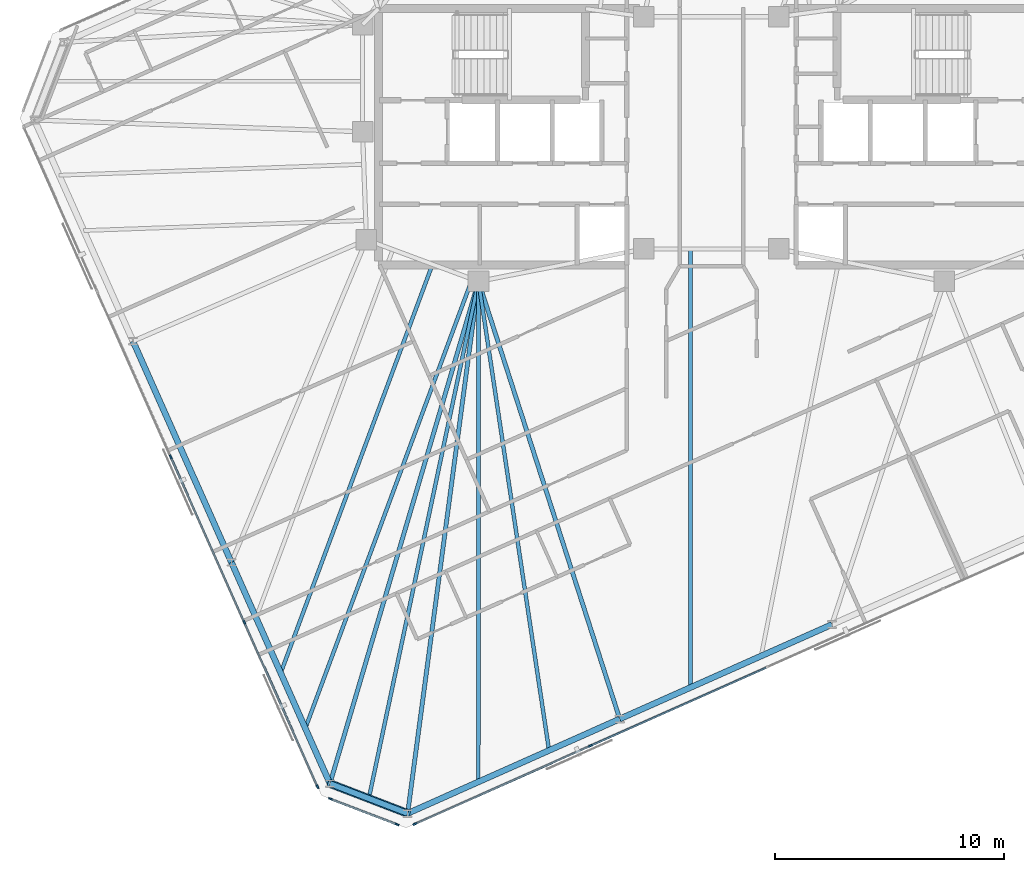
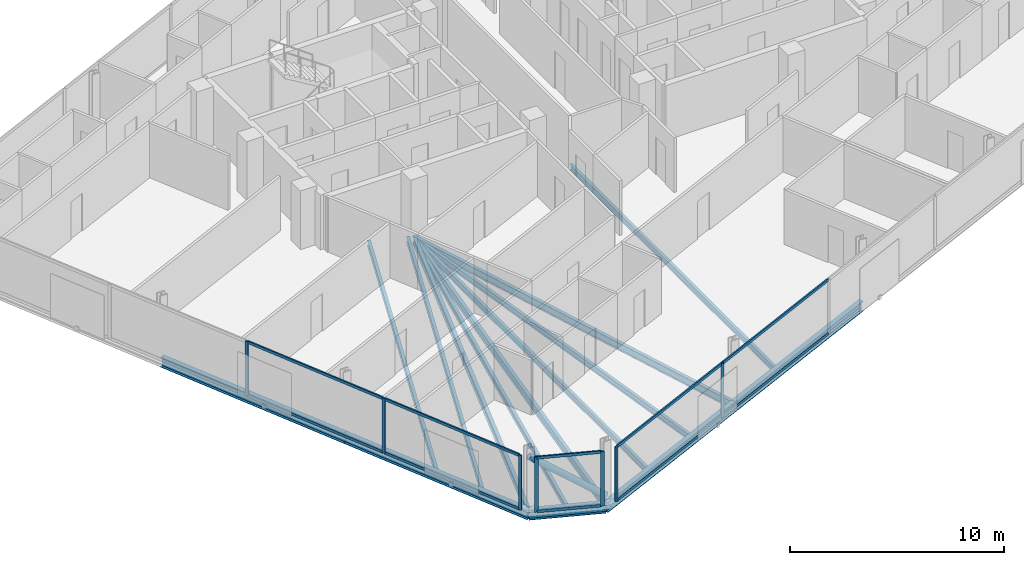
# One storey, part 5 of 19: 18 members, 14 beams, 3 elements without a shape of their own.
"""IFC4 building model written with IfcOpenShell, lengths in metres."""

import ifcopenshell
import ifcopenshell.guid

model = None  # the IFC model being written
_history = None  # IfcOwnerHistory: only IFC2X3 demands one
_inside = {}  # id of a spatial element -> (the spatial element, [elements in it])
_under = {}  # id of a project, library or spatial element -> (it, [spatial elements below it])
_declared = {}  # id of a project -> (the project, [libraries it declares])
_typed = {}  # id of a type object -> (the type object, [elements of that type])
_made_of = {}  # id of a material, layer set ... -> (it, [elements and type objects made of it])


def new_model(schema):
    """Start an empty IFC model of exactly this schema.

    Asked for "IFC4X3", IfcOpenShell would pick the latest addendum, in which some entities
    have other attributes; the version numbers below select the first issue.
    IFC2X3 requires an IfcOwnerHistory on every rooted entity: one is made here for all.
    """
    global model, _history
    if schema == "IFC4X3":
        model = ifcopenshell.file(schema_version=(4, 3, 0, 0))
    else:
        model = ifcopenshell.file(schema=schema)
    _inside.clear()
    _under.clear()
    _declared.clear()
    _typed.clear()
    _made_of.clear()
    _history = None
    if model.schema == "IFC2X3":
        org = make("IfcOrganization", Name="unknown")
        user = make(
            "IfcPersonAndOrganization",
            ThePerson=make("IfcPerson", FamilyName="unknown"),
            TheOrganization=org,
        )
        app = make(
            "IfcApplication",
            ApplicationDeveloper=org,
            Version="unknown",
            ApplicationFullName="unknown",
            ApplicationIdentifier="unknown",
        )
        _history = make(
            "IfcOwnerHistory",
            OwningUser=user,
            OwningApplication=app,
            ChangeAction="ADDED",
            CreationDate=0,
        )
    return model


def make(cls, **values):
    """One entity of the class cls with the attributes given. An attribute that is None is left unset."""
    return model.create_entity(
        cls, **{name: value for name, value in values.items() if value is not None}
    )


def rooted(cls, **values):
    """An entity with a GlobalId (a new one), such as an element, a storey or a relation."""
    return make(cls, GlobalId=ifcopenshell.guid.new(), OwnerHistory=_history, **values)


def si_unit(unit_type, name, prefix=None):
    """IfcSIUnit, for example si_unit("LENGTHUNIT", "METRE", prefix="MILLI")."""
    return make("IfcSIUnit", UnitType=unit_type, Prefix=prefix, Name=name)


def assignment(units):
    """IfcUnitAssignment: the units of a project."""
    return None if units is None else make("IfcUnitAssignment", Units=units)


def point(xyz):
    """IfcCartesianPoint."""
    return None if xyz is None else make("IfcCartesianPoint", Coordinates=xyz)


def direction(xyz):
    """IfcDirection."""
    return None if xyz is None else make("IfcDirection", DirectionRatios=xyz)


def frame(location, z_axis=None, x_axis=None):
    """IfcAxis2Placement3D, a coordinate frame: its origin and axes. An axis left out is left unset."""
    return make(
        "IfcAxis2Placement3D",
        Location=point(location),
        Axis=direction(z_axis),
        RefDirection=direction(x_axis),
    )


def frame_2d(location, x_axis=None):
    """IfcAxis2Placement2D, a coordinate frame in the plane: its origin and x axis."""
    return make(
        "IfcAxis2Placement2D", Location=point(location), RefDirection=direction(x_axis)
    )


def origin():
    """The frame at (0, 0, 0) with its axes left unset."""
    return frame((0.0, 0.0, 0.0))


def origin_2d():
    """The frame at (0, 0) in the plane with its x axis left unset."""
    return frame_2d((0.0, 0.0))


def place(relative_to, where):
    """IfcLocalPlacement: puts the frame where relative to a parent placement (None: the world)."""
    return make(
        "IfcLocalPlacement", PlacementRelTo=relative_to, RelativePlacement=where
    )


def context(
    kind, dimensions, precision=None, world=None, true_north=None, identifier=None
):
    """IfcGeometricRepresentationContext, for example the 3D "Model" context."""
    return make(
        "IfcGeometricRepresentationContext",
        ContextIdentifier=identifier,
        ContextType=kind,
        CoordinateSpaceDimension=dimensions,
        Precision=precision,
        WorldCoordinateSystem=world,
        TrueNorth=true_north,
    )


def subcontext(parent, identifier, kind, view, scale=None):
    """IfcGeometricRepresentationSubContext, for example "Body" below "Model"."""
    return make(
        "IfcGeometricRepresentationSubContext",
        ContextIdentifier=identifier,
        ContextType=kind,
        ParentContext=parent,
        TargetScale=scale,
        TargetView=view,
    )


def project(units=None, contexts=None):
    """IfcProject with its units and contexts."""
    return rooted(
        "IfcProject",
        Name="project",
        RepresentationContexts=contexts,
        UnitsInContext=assignment(units),
    )


def spatial(cls, under=None, at=None, **own):
    """A site, building, storey or space (cls), placed at a placement, below another one or the project."""
    s = rooted(cls, ObjectPlacement=at, **own)
    if under is not None:
        _under.setdefault(under.id(), (under, []))[1].append(s)
    return s


def profile(cls, at=None, kind="AREA", **sizes):
    """A parametric profile (cls). Its sizes go by their IFC names, for example OverallWidth=200.0."""
    return make(cls, ProfileType=kind, Position=at, **sizes)


def rectangle(**sizes):
    """IfcRectangleProfileDef."""
    return profile("IfcRectangleProfileDef", **sizes)


def hollow_circle(**sizes):
    """IfcCircleHollowProfileDef."""
    return profile("IfcCircleHollowProfileDef", **sizes)


def i_section(**sizes):
    """IfcIShapeProfileDef."""
    return profile("IfcIShapeProfileDef", **sizes)


def extrude(swept, where, along, depth):
    """IfcExtrudedAreaSolid: the profile swept, set in the frame where, extruded along a direction by depth."""
    return make(
        "IfcExtrudedAreaSolid",
        SweptArea=swept,
        Position=where,
        ExtrudedDirection=direction(along),
        Depth=depth,
    )


def shape(context_of_items, identifier, shape_type, items):
    """IfcShapeRepresentation: the items that make up one representation, for example the "Body"."""
    return make(
        "IfcShapeRepresentation",
        ContextOfItems=context_of_items,
        RepresentationIdentifier=identifier,
        RepresentationType=shape_type,
        Items=items,
    )


def material(Name=None, Category=None):
    """IfcMaterial."""
    return make("IfcMaterial", Name=Name, Category=Category)


def material_profile(
    of_material, cross_section, Name=None, Category=None, Priority=None
):
    """IfcMaterialProfile: a cross section and its material."""
    return make(
        "IfcMaterialProfile",
        Name=Name,
        Material=of_material,
        Profile=cross_section,
        Priority=Priority,
        Category=Category,
    )


def profile_set(profiles, Name=None, composite=None):
    """IfcMaterialProfileSet."""
    return make(
        "IfcMaterialProfileSet",
        Name=Name,
        MaterialProfiles=profiles,
        CompositeProfile=composite,
    )


def made_of(thing, what):
    """Note that an element or type object is made of a material, layer set ...; save() writes the relation."""
    if what is not None:
        _made_of.setdefault(what.id(), (what, []))[1].append(thing)
    return thing


def type_object(cls, material=None, **own):
    """A type object (cls), such as IfcWallType, which elements share."""
    return made_of(rooted(cls, **own), material)


def element(
    cls,
    number,
    at=None,
    inside=None,
    cuts=None,
    type_object=None,
    material=None,
    context=None,
    identifier="Body",
    shape_type=None,
    held_by="IfcProductDefinitionShape",
    body=None,
    shapes=None,
    **own,
):
    """One element of the class cls, such as IfcWall. Its Tag is "e" and its number.

    at: its placement. inside: the storey or other place that contains it. cuts: it is an
    opening in that element (IfcRelVoidsElement). A single representation is given by context,
    identifier, shape_type and body (its items); several are given by shapes. held_by: the class
    of the entity that holds the representations. save() writes the other relations.
    """
    e = rooted(cls, Tag="e%d" % number, ObjectPlacement=at, **own)
    if body is not None:
        shapes = [shape(context, identifier, shape_type, body)]
    if shapes is not None:
        e.Representation = make(held_by, Representations=shapes)
    if inside is not None:
        _inside.setdefault(inside.id(), (inside, []))[1].append(e)
    if cuts is not None:
        rooted(
            "IfcRelVoidsElement", RelatingBuildingElement=cuts, RelatedOpeningElement=e
        )
    if type_object is not None:
        _typed.setdefault(type_object.id(), (type_object, []))[1].append(e)
    return made_of(e, material)


def aggregate(whole, parts):
    """IfcRelAggregates: a whole, such as a stair, and the parts it consists of."""
    return rooted("IfcRelAggregates", RelatingObject=whole, RelatedObjects=parts)


def save(model, path):
    """Write the relations noted so far, then the file.

    IfcRelAggregates (storeys below a building ...), IfcRelContainedInSpatialStructure (elements
    in a storey), IfcRelDefinesByType, IfcRelAssociatesMaterial and IfcRelDeclares: one each for
    every whole, place, type object, material and project.
    """
    for whole, parts in _under.values():
        aggregate(whole, parts)
    for where, things in _inside.values():
        rooted(
            "IfcRelContainedInSpatialStructure",
            RelatedElements=things,
            RelatingStructure=where,
        )
    for kind, things in _typed.values():
        rooted("IfcRelDefinesByType", RelatedObjects=things, RelatingType=kind)
    for what, things in _made_of.values():
        rooted("IfcRelAssociatesMaterial", RelatedObjects=things, RelatingMaterial=what)
    for by, libraries in _declared.values():
        rooted("IfcRelDeclares", RelatingContext=by, RelatedDefinitions=libraries)
    model.write(path)


model = new_model("IFC4")

# Units and contexts
model_context = context("Model", 3, precision=1e-05, world=origin(), true_north=direction((0.0, 1.0)))
body_context = subcontext(model_context, "Body", "Model", "MODEL_VIEW")
ifc_project = project(units=[si_unit("LENGTHUNIT", "METRE"), si_unit("AREAUNIT", "SQUARE_METRE"), si_unit("VOLUMEUNIT", "CUBIC_METRE"), si_unit("PLANEANGLEUNIT", "RADIAN"), si_unit("MASSUNIT", "GRAM", prefix="KILO")], contexts=[model_context])

# Site, building, storey
site_placement = place(None, origin())
site = spatial("IfcSite", under=ifc_project, at=site_placement, CompositionType="ELEMENT")
building_placement = place(site_placement, origin())
building = spatial("IfcBuilding", under=site, at=building_placement, Name="Menara Jurai Vektor", CompositionType="ELEMENT")
storey_placement = place(building_placement, frame((0.0, 0.0, 265.550048828125)))
storey = spatial("IfcBuildingStorey", under=building, at=storey_placement, Name="L71", CompositionType="ELEMENT", Elevation=265.550048828125)

# Curtain wall, members
ifc_material_1 = material(Name="Anodised Pale Aluminium & Low-E Double Glazing", Category="aluminium")
curtain_wall_type = type_object("IfcCurtainWallType", Name="CW-BLK5", PredefinedType="NOTDEFINED", material=ifc_material_1)
curtain_wall_1_placement = place(storey_placement, origin())
curtain_wall_1 = element("IfcCurtainWall", 1, at=curtain_wall_1_placement, inside=storey, type_object=curtain_wall_type, Name="Unitised Curtain Wall L71 F01", PredefinedType="NOTDEFINED")
ifc_material_2 = material(Name="Anodised Pale Aluminium Mullion", Category="aluminium")
ifc_material_profile_1 = material_profile(ifc_material_2, rectangle(XDim=0.074951171875, YDim=0.175048828125, at=origin_2d()), Name="ALU MUL 75x175")
ifc_profile_set_1 = profile_set([ifc_material_profile_1], Name="Anodised Pale Aluminium Mullion")
member_type_1 = type_object("IfcMemberType", Name="CW-BLK5-MUL", PredefinedType="MULLION", material=ifc_profile_set_1)
member_1_placement = place(storey_placement, frame((-12.96875, -30.04052734375, 0.0), z_axis=(0.0, 0.0, 1.0), x_axis=(-0.406735498684, 0.913545967158, 0.0)))
member_1 = element("IfcMember", 2, at=member_1_placement, type_object=member_type_1, Name="CW-05 mullion 1", PredefinedType="MULLION", context=body_context, shape_type="SweptSolid", body=[
    extrude(rectangle(XDim=0.074951171875, YDim=0.175048828125, at=origin_2d()), origin(), (0.0, 0.0, 1.0), 3.125),
])
member_2_placement = place(storey_placement, frame((-5.292724609375, -26.623046875, 0.0), z_axis=(0.0, 0.0, 1.0), x_axis=(-0.406735498684, 0.913545967158, 0.0)))
member_2 = element("IfcMember", 3, at=member_2_placement, type_object=member_type_1, Name="CW-05 mullion 2", PredefinedType="MULLION", context=body_context, shape_type="SweptSolid", body=[
    extrude(rectangle(XDim=0.074951171875, YDim=0.175048828125, at=origin_2d()), origin(), (0.0, 0.0, 1.0), 3.125),
])

curtain_wall_2_placement = place(storey_placement, origin())
curtain_wall_2 = element("IfcCurtainWall", 4, at=curtain_wall_2_placement, inside=storey, type_object=curtain_wall_type, Name="Unitised Curtain Wall L71 F07", PredefinedType="NOTDEFINED")
member_3_placement = place(storey_placement, frame((-23.635986328125, -13.991943359375, 0.0), z_axis=(0.0, 0.0, 1.0), x_axis=(0.913546127706, 0.406735138086, 0.0)))
member_3 = element("IfcMember", 5, at=member_3_placement, type_object=member_type_1, Name="CW-05 mullion 3", PredefinedType="MULLION", context=body_context, shape_type="SweptSolid", body=[
    extrude(rectangle(XDim=0.074951171875, YDim=0.175048828125, at=origin_2d()), origin(), (0.0, 0.0, 1.0), 3.125),
])
member_4_placement = place(storey_placement, frame((-20.418701171875, -21.21826171875, 0.0), z_axis=(0.0, 0.0, 1.0), x_axis=(0.913546127706, 0.406735138086, 0.0)))
member_4 = element("IfcMember", 6, at=member_4_placement, type_object=member_type_1, Name="CW-05 mullion 4", PredefinedType="MULLION", context=body_context, shape_type="SweptSolid", body=[
    extrude(rectangle(XDim=0.074951171875, YDim=0.175048828125, at=origin_2d()), origin(), (0.0, 0.0, 1.0), 3.125),
])
member_5_placement = place(storey_placement, frame((-17.216796875, -28.41015625, 0.0), z_axis=(0.0, 0.0, 1.0), x_axis=(0.913546127706, 0.406735138086, 0.0)))
member_5 = element("IfcMember", 7, at=member_5_placement, type_object=member_type_1, Name="CW-05 mullion 5", PredefinedType="MULLION", context=body_context, shape_type="SweptSolid", body=[
    extrude(rectangle(XDim=0.074951171875, YDim=0.175048828125, at=origin_2d()), origin(), (0.0, 0.0, 1.0), 3.125),
])

curtain_wall_3_placement = place(storey_placement, origin())
curtain_wall_3 = element("IfcCurtainWall", 8, at=curtain_wall_3_placement, inside=storey, type_object=curtain_wall_type, Name="Unitised Curtain Wall L71 F08", PredefinedType="NOTDEFINED")
member_6_placement = place(storey_placement, frame((-16.656982421875, -28.94091796875, 0.0), z_axis=(0.0, 0.0, 1.0), x_axis=(0.358373766287, 0.933578193639, 0.0)))
member_6 = element("IfcMember", 9, at=member_6_placement, type_object=member_type_1, Name="CW-05 mullion 1", PredefinedType="MULLION", context=body_context, shape_type="SweptSolid", body=[
    extrude(rectangle(XDim=0.074951171875, YDim=0.175048828125, at=origin_2d()), origin(), (0.0, 0.0, 1.0), 3.125),
])
member_7_placement = place(storey_placement, frame((-13.739990234375, -30.060791015625, 0.0), z_axis=(0.0, 0.0, 1.0), x_axis=(0.358373766287, 0.933578193639, 0.0)))
member_7 = element("IfcMember", 10, at=member_7_placement, type_object=member_type_1, Name="CW-05 mullion 2", PredefinedType="MULLION", context=body_context, shape_type="SweptSolid", body=[
    extrude(rectangle(XDim=0.074951171875, YDim=0.175048828125, at=origin_2d()), origin(), (0.0, 0.0, 1.0), 3.125),
])

# Member
ifc_material_3 = material(Name="Anodised Pale Aluminium Transom", Category="aluminium")
ifc_material_profile_2 = material_profile(ifc_material_3, rectangle(XDim=0.074951171875, YDim=0.155029296875, at=origin_2d()), Name="ALU TRN 75x155")
ifc_profile_set_2 = profile_set([ifc_material_profile_2], Name="Anodised Pale Aluminium Transom")
member_type_2 = type_object("IfcMemberType", Name="CW-BLK5-TRN", PredefinedType="USERDEFINED", material=ifc_profile_set_2)
member_8_placement = place(storey_placement, frame((-12.9345703125, -30.025390625, 0.037353515625), z_axis=(0.913542963736, 0.406742244436, 0.0), x_axis=(-0.406742244436, 0.913542963736, 0.0)))
member_8 = element("IfcMember", 11, at=member_8_placement, type_object=member_type_2, Name="CW-05 transom 1.1", ObjectType="TRANSOM", PredefinedType="USERDEFINED", context=body_context, shape_type="SweptSolid", body=[
    extrude(rectangle(XDim=0.074951171875, YDim=0.155029296875, at=origin_2d()), origin(), (0.0, 0.0, 1.0), 8.32763671875),
])

member_9_placement = place(storey_placement, frame((-12.9345703125, -30.025390625, 3.08740234375), z_axis=(0.913542963736, 0.406742244436, 0.0), x_axis=(-0.406742244436, 0.913542963736, 0.0)))
member_9 = element("IfcMember", 12, at=member_9_placement, type_object=member_type_2, Name="CW-05 transom 1.2", ObjectType="TRANSOM", PredefinedType="USERDEFINED", context=body_context, shape_type="SweptSolid", body=[
    extrude(rectangle(XDim=0.074951171875, YDim=0.155029296875, at=origin_2d()), origin(), (0.0, 0.0, 1.0), 8.32763671875),
])

member_10_placement = place(storey_placement, frame((-5.25830078125, -26.60791015625, 0.037353515625), z_axis=(0.913541747007, 0.406744977198, 0.0), x_axis=(-0.406744977198, 0.913541747007, 0.0)))
member_10 = element("IfcMember", 13, at=member_10_placement, type_object=member_type_2, Name="CW-05 transom 2.1", ObjectType="TRANSOM", PredefinedType="USERDEFINED", context=body_context, shape_type="SweptSolid", body=[
    extrude(rectangle(XDim=0.074951171875, YDim=0.155029296875, at=origin_2d()), origin(), (0.0, 0.0, 1.0), 8.36474609375),
])

member_11_placement = place(storey_placement, frame((-5.25830078125, -26.60791015625, 3.08740234375), z_axis=(0.913541747007, 0.406744977198, 0.0), x_axis=(-0.406744977198, 0.913541747007, 0.0)))
member_11 = element("IfcMember", 14, at=member_11_placement, type_object=member_type_2, Name="CW-05 transom 2.2", ObjectType="TRANSOM", PredefinedType="USERDEFINED", context=body_context, shape_type="SweptSolid", body=[
    extrude(rectangle(XDim=0.074951171875, YDim=0.155029296875, at=origin_2d()), origin(), (0.0, 0.0, 1.0), 8.36474609375),
])

aggregate(curtain_wall_1, [member_1, member_2, member_8, member_9, member_10, member_11])

member_12_placement = place(storey_placement, frame((-23.620849609375, -14.0263671875, 0.037353515625), z_axis=(0.40674264085, -0.913542787238, 0.0), x_axis=(0.913542787238, 0.40674264085, 0.0)))
member_12 = element("IfcMember", 15, at=member_12_placement, type_object=member_type_2, Name="CW-05 transom 3.1", ObjectType="TRANSOM", PredefinedType="USERDEFINED", context=body_context, shape_type="SweptSolid", body=[
    extrude(rectangle(XDim=0.074951171875, YDim=0.155029296875, at=origin_2d()), origin(), (0.0, 0.0, 1.0), 7.8349609375),
])

member_13_placement = place(storey_placement, frame((-23.620849609375, -14.0263671875, 3.08740234375), z_axis=(0.40674264085, -0.913542787238, 0.0), x_axis=(0.913542787238, 0.40674264085, 0.0)))
member_13 = element("IfcMember", 16, at=member_13_placement, type_object=member_type_2, Name="CW-05 transom 3.2", ObjectType="TRANSOM", PredefinedType="USERDEFINED", context=body_context, shape_type="SweptSolid", body=[
    extrude(rectangle(XDim=0.074951171875, YDim=0.155029296875, at=origin_2d()), origin(), (0.0, 0.0, 1.0), 7.8349609375),
])

member_14_placement = place(storey_placement, frame((-20.403564453125, -21.25244140625, 0.037353515625), z_axis=(0.406751345283, -0.913538911656, 0.0), x_axis=(0.913538911656, 0.406751345283, 0.0)))
member_14 = element("IfcMember", 17, at=member_14_placement, type_object=member_type_2, Name="CW-05 transom 4.1", ObjectType="TRANSOM", PredefinedType="USERDEFINED", context=body_context, shape_type="SweptSolid", body=[
    extrude(rectangle(XDim=0.074951171875, YDim=0.155029296875, at=origin_2d()), origin(), (0.0, 0.0, 1.0), 7.79736328125),
])

member_15_placement = place(storey_placement, frame((-20.403564453125, -21.25244140625, 3.08740234375), z_axis=(0.406751345283, -0.913538911656, 0.0), x_axis=(0.913538911656, 0.406751345283, 0.0)))
member_15 = element("IfcMember", 18, at=member_15_placement, type_object=member_type_2, Name="CW-05 transom 4.2", ObjectType="TRANSOM", PredefinedType="USERDEFINED", context=body_context, shape_type="SweptSolid", body=[
    extrude(rectangle(XDim=0.074951171875, YDim=0.155029296875, at=origin_2d()), origin(), (0.0, 0.0, 1.0), 7.79736328125),
])

aggregate(curtain_wall_2, [member_3, member_4, member_5, member_12, member_13, member_14, member_15])

member_16_placement = place(storey_placement, frame((-16.6220703125, -28.95458984375, 0.037353515625), z_axis=(0.933597094911, -0.358324523823, 0.0), x_axis=(0.358324523823, 0.933597094911, 0.0)))
member_16 = element("IfcMember", 19, at=member_16_placement, type_object=member_type_2, Name="CW-05 transom 1.1", ObjectType="TRANSOM", PredefinedType="USERDEFINED", context=body_context, shape_type="SweptSolid", body=[
    extrude(rectangle(XDim=0.074951171875, YDim=0.155029296875, at=origin_2d()), origin(), (0.0, 0.0, 1.0), 3.049560546875),
])

member_17_placement = place(storey_placement, frame((-16.6220703125, -28.95458984375, 3.08740234375), z_axis=(0.933597094911, -0.358324523823, 0.0), x_axis=(0.358324523823, 0.933597094911, 0.0)))
member_17 = element("IfcMember", 20, at=member_17_placement, type_object=member_type_2, Name="CW-05 transom 1.2", ObjectType="TRANSOM", PredefinedType="USERDEFINED", context=body_context, shape_type="SweptSolid", body=[
    extrude(rectangle(XDim=0.074951171875, YDim=0.155029296875, at=origin_2d()), origin(), (0.0, 0.0, 1.0), 3.049560546875),
])

aggregate(curtain_wall_3, [member_6, member_7, member_16, member_17])

# Beams
ifc_material_4 = material(Name="Steel S355", Category="steel")
ifc_material_profile_3 = material_profile(ifc_material_4, i_section(OverallWidth=0.18505859375, OverallDepth=0.429931640625, WebThickness=0.010986328125, FlangeThickness=0.01806640625, at=origin_2d()), Name="PG 430x185x76")
ifc_profile_set_3 = profile_set([ifc_material_profile_3], Name="Steel S355")
beam_type_1 = type_object("IfcBeamType", Name="STR-BM-430", PredefinedType="BEAM", material=ifc_profile_set_3)
beam_1_placement = place(storey_placement, frame((-13.279541015625, -29.576904296875, -0.43994140625), z_axis=(0.132109192855, 0.991235169454, 0.0), x_axis=(-0.991235169454, 0.132109192855, 0.0)))
element("IfcBeam", 21, at=beam_1_placement, inside=storey, type_object=beam_type_1, Name="Radial Floor Girder L71-S1", PredefinedType="BEAM", context=body_context, shape_type="SweptSolid", body=[
    extrude(i_section(OverallWidth=0.18505859375, OverallDepth=0.429931640625, WebThickness=0.010986328125, FlangeThickness=0.01806640625, at=origin_2d()), origin(), (0.0, 0.0, 1.0), 23.46240234375),
])
beam_2_placement = place(storey_placement, frame((-4.006103515625, -25.4482421875, -0.43994140625), z_axis=(-0.307158217721, 0.95165846252, 0.0), x_axis=(-0.95165846252, -0.307158217721, 0.0)))
element("IfcBeam", 22, at=beam_2_placement, inside=storey, type_object=beam_type_1, Name="Radial Floor Girder L71-S2", PredefinedType="BEAM", context=body_context, shape_type="SweptSolid", body=[
    extrude(i_section(OverallWidth=0.18505859375, OverallDepth=0.429931640625, WebThickness=0.010986328125, FlangeThickness=0.01806640625, at=origin_2d()), origin(), (0.0, 0.0, 1.0), 20.099853515625),
])
beam_3_placement = place(storey_placement, frame((-16.675537109375, -28.2734375, -0.43994140625), z_axis=(0.283723047838, 0.958906268686, 0.0), x_axis=(-0.958906268686, 0.283723047838, 0.0)))
element("IfcBeam", 23, at=beam_3_placement, inside=storey, type_object=beam_type_1, Name="Radial Floor Girder L71-W4", PredefinedType="BEAM", context=body_context, shape_type="SweptSolid", body=[
    extrude(i_section(OverallWidth=0.18505859375, OverallDepth=0.429931640625, WebThickness=0.010986328125, FlangeThickness=0.01806640625, at=origin_2d()), origin(), (0.0, 0.0, 1.0), 22.894287109375),
])

# Member
ifc_material_5 = material(Name="Steel S460", Category="steel")
ifc_material_profile_4 = material_profile(ifc_material_5, hollow_circle(Radius=0.177734375, WallThickness=0.01611328125, at=origin_2d()), Name="CHS 355.6x16")
ifc_profile_set_4 = profile_set([ifc_material_profile_4], Name="Steel S460")
member_type_3 = type_object("IfcMemberType", Name="STR-BR-356", PredefinedType="BRACE", material=ifc_profile_set_4)
member_18_placement = place(storey_placement, frame((-13.279541015625, -29.576904296875, 0.14990234375), z_axis=(-0.757054002265, 0.290575939475, 0.585179340931), x_axis=(-0.358335850414, -0.933592747566, 0.0)))
element("IfcMember", 24, at=member_18_placement, inside=storey, type_object=member_type_3, Name="Exoskeleton Corner Brace L71-4", PredefinedType="BRACE", context=body_context, shape_type="SweptSolid", body=[
    extrude(hollow_circle(Radius=0.177734375, WallThickness=0.01611328125, at=origin_2d()), origin(), (0.0, 0.0, 1.0), 4.48583984375),
])

# Beams
ifc_material_profile_5 = material_profile(ifc_material_4, i_section(OverallWidth=0.1650390625, OverallDepth=0.330078125, WebThickness=0.009033203125, FlangeThickness=0.013916015625, at=origin_2d()), Name="PG 330x165x46")
ifc_profile_set_5 = profile_set([ifc_material_profile_5], Name="Steel S355")
beam_type_2 = type_object("IfcBeamType", Name="STR-JS-330", PredefinedType="JOIST", material=ifc_profile_set_5)
beam_4_placement = place(storey_placement, frame((-10.188232421875, -28.20068359375, -0.39013671875), z_axis=(0.000379366876, 0.99999992804, 0.0), x_axis=(-0.99999992804, 0.000379366876, 0.0)))
element("IfcBeam", 25, at=beam_4_placement, inside=storey, type_object=beam_type_2, Name="Radial Secondary Floor Joist L71-JS01", PredefinedType="JOIST", context=body_context, shape_type="SweptSolid", body=[
    extrude(i_section(OverallWidth=0.1650390625, OverallDepth=0.330078125, WebThickness=0.009033203125, FlangeThickness=0.013916015625, at=origin_2d()), origin(), (0.0, 0.0, 1.0), 21.880615234375),
])
beam_5_placement = place(storey_placement, frame((-7.09716796875, -26.824462890625, -0.39013671875), z_axis=(-0.148675540239, 0.988886031722, 0.0), x_axis=(-0.988886031722, -0.148675540239, 0.0)))
element("IfcBeam", 26, at=beam_5_placement, inside=storey, type_object=beam_type_2, Name="Radial Secondary Floor Joist L71-JS02", PredefinedType="JOIST", context=body_context, shape_type="SweptSolid", body=[
    extrude(i_section(OverallWidth=0.1650390625, OverallDepth=0.330078125, WebThickness=0.009033203125, FlangeThickness=0.013916015625, at=origin_2d()), origin(), (0.0, 0.0, 1.0), 20.73486328125),
])
beam_6_placement = place(storey_placement, frame((-0.914794921875, -24.072021484375, -0.39013671875), z_axis=(0.0, 1.0, 0.0), x_axis=(-1.0, 0.0, 0.0)))
element("IfcBeam", 27, at=beam_6_placement, inside=storey, type_object=beam_type_2, Name="Radial Secondary Floor Joist L71-JS03", PredefinedType="JOIST", context=body_context, shape_type="SweptSolid", body=[
    extrude(i_section(OverallWidth=0.1650390625, OverallDepth=0.330078125, WebThickness=0.009033203125, FlangeThickness=0.013916015625, at=origin_2d()), origin(), (0.0, 0.0, 1.0), 19.172119140625),
])
beam_7_placement = place(storey_placement, frame((-18.828125, -23.4384765625, -0.39013671875), z_axis=(0.348177845571, 0.937428497462, 0.0), x_axis=(-0.937428497462, 0.348177845571, 0.0)))
element("IfcBeam", 28, at=beam_7_placement, inside=storey, type_object=beam_type_2, Name="Radial Secondary Floor Joist L71-JS29", PredefinedType="JOIST", context=body_context, shape_type="SweptSolid", body=[
    extrude(i_section(OverallWidth=0.1650390625, OverallDepth=0.330078125, WebThickness=0.009033203125, FlangeThickness=0.013916015625, at=origin_2d()), origin(), (0.0, 0.0, 1.0), 19.05859375),
])
beam_8_placement = place(storey_placement, frame((-17.751953125, -25.85595703125, -0.39013671875), z_axis=(0.348185651823, 0.937425598042, 0.0), x_axis=(-0.937425598042, 0.348185651823, 0.0)))
element("IfcBeam", 29, at=beam_8_placement, inside=storey, type_object=beam_type_2, Name="Radial Secondary Floor Joist L71-JS30", PredefinedType="JOIST", context=body_context, shape_type="SweptSolid", body=[
    extrude(i_section(OverallWidth=0.1650390625, OverallDepth=0.330078125, WebThickness=0.009033203125, FlangeThickness=0.013916015625, at=origin_2d()), origin(), (0.0, 0.0, 1.0), 20.949951171875),
])
beam_9_placement = place(storey_placement, frame((-14.9775390625, -28.92529296875, -0.39013671875), z_axis=(0.207610208592, 0.978211634202, 0.0), x_axis=(-0.978211634202, 0.207610208592, 0.0)))
element("IfcBeam", 30, at=beam_9_placement, inside=storey, type_object=beam_type_2, Name="Radial Secondary Floor Joist L71-JS31", PredefinedType="JOIST", context=body_context, shape_type="SweptSolid", body=[
    extrude(i_section(OverallWidth=0.1650390625, OverallDepth=0.330078125, WebThickness=0.009033203125, FlangeThickness=0.013916015625, at=origin_2d()), origin(), (0.0, 0.0, 1.0), 23.108642578125),
])
ifc_material_profile_6 = material_profile(ifc_material_4, i_section(OverallWidth=0.260009765625, OverallDepth=0.570068359375, WebThickness=0.013916015625, FlangeThickness=0.02392578125, at=origin_2d()), Name="PG 570x260x145")
ifc_profile_set_6 = profile_set([ifc_material_profile_6], Name="Steel S355")
beam_type_3 = type_object("IfcBeamType", Name="STR-SP-570", PredefinedType="SPANDREL", material=ifc_profile_set_6)
beam_10_placement = place(storey_placement, frame((-13.279541015625, -29.576904296875, -0.510009765625), z_axis=(0.913550519143, 0.406725274569, 0.0), x_axis=(-0.406725274569, 0.913550519143, 0.0)))
element("IfcBeam", 31, at=beam_10_placement, inside=storey, type_object=beam_type_3, Name="Exoskeleton Spandrel Beam L71-01", PredefinedType="SPANDREL", context=body_context, shape_type="SweptSolid", body=[
    extrude(i_section(OverallWidth=0.260009765625, OverallDepth=0.570068359375, WebThickness=0.013916015625, FlangeThickness=0.02392578125, at=origin_2d()), origin(), (0.0, 0.0, 1.0), 10.15087890625),
])
beam_11_placement = place(storey_placement, frame((-4.006103515625, -25.4482421875, -0.510009765625), z_axis=(0.913545561407, 0.406736410017, 0.0), x_axis=(-0.406736410017, 0.913545561407, 0.0)))
element("IfcBeam", 32, at=beam_11_placement, inside=storey, type_object=beam_type_3, Name="Exoskeleton Spandrel Beam L71-02", PredefinedType="SPANDREL", context=body_context, shape_type="SweptSolid", body=[
    extrude(i_section(OverallWidth=0.260009765625, OverallDepth=0.570068359375, WebThickness=0.013916015625, FlangeThickness=0.02392578125, at=origin_2d()), origin(), (0.0, 0.0, 1.0), 10.1513671875),
])
for number, where, z_axis, x_axis, name in (
    (33, (-25.286376953125, -8.933349609375, -0.510009765625), (0.406744000616, -0.913542181819, 0.0), (0.913542181819, 0.406744000616, 0.0), "Exoskeleton Spandrel Beam L71-18"),
    (34, (-20.98095703125, -18.603271484375, -0.510009765625), (0.40673543049, -0.91354599752, 0.0), (0.91354599752, 0.40673543049, 0.0), "Exoskeleton Spandrel Beam L71-19"),
):
    element("IfcBeam", number, at=place(storey_placement, frame(where, z_axis=z_axis, x_axis=x_axis)), inside=storey, type_object=beam_type_3, Name=name, PredefinedType="SPANDREL", context=body_context, shape_type="SweptSolid", body=[
        extrude(i_section(OverallWidth=0.260009765625, OverallDepth=0.570068359375, WebThickness=0.013916015625, FlangeThickness=0.02392578125, at=origin_2d()), origin(), (0.0, 0.0, 1.0), 10.585205078125),
    ])
beam_12_placement = place(storey_placement, frame((-16.675537109375, -28.2734375, -0.510009765625), z_axis=(0.933592747566, -0.358335850414, 0.0), x_axis=(0.358335850414, 0.933592747566, 0.0)))
element("IfcBeam", 35, at=beam_12_placement, inside=storey, type_object=beam_type_3, Name="Exoskeleton Spandrel Beam L71-20", PredefinedType="SPANDREL", context=body_context, shape_type="SweptSolid", body=[
    extrude(i_section(OverallWidth=0.260009765625, OverallDepth=0.570068359375, WebThickness=0.013916015625, FlangeThickness=0.02392578125, at=origin_2d()), origin(), (0.0, 0.0, 1.0), 3.637451171875),
])

save(model, "model.ifc")
